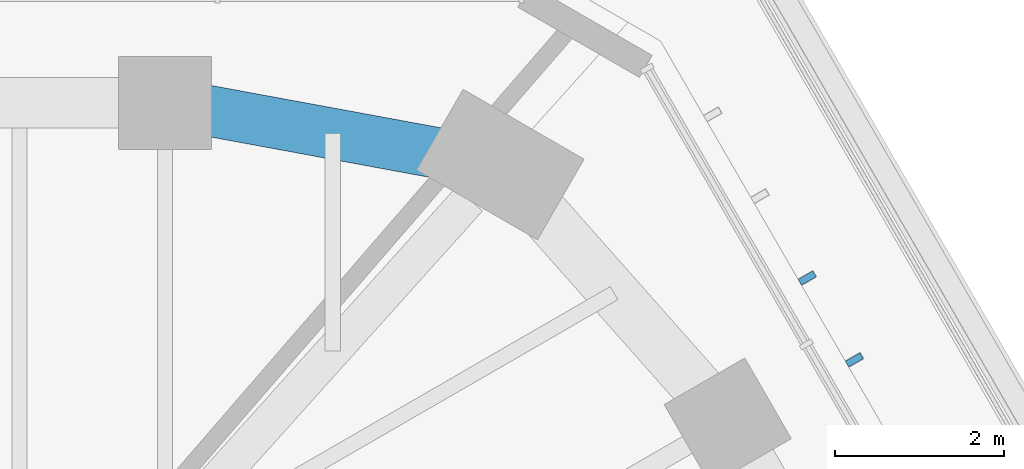
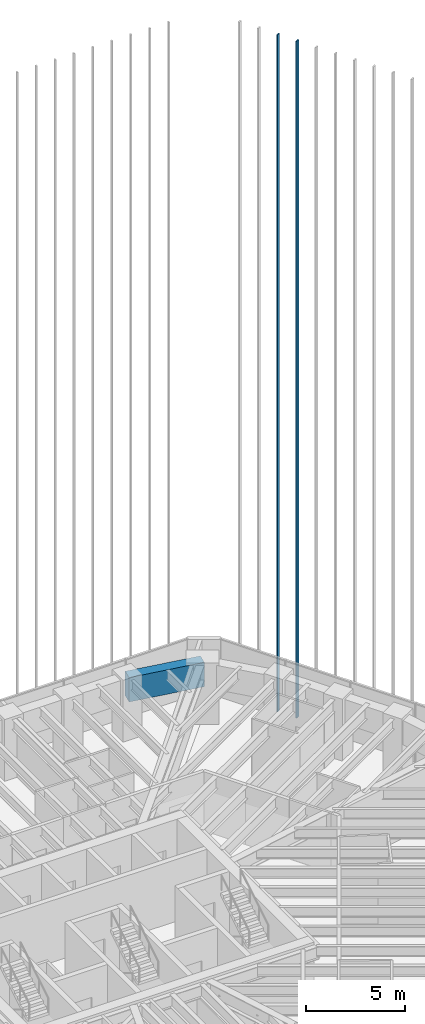
# One storey, part 105 of 127: 2 members, 1 beam, 1 element without a shape of its own.
"""IFC4 building model written with IfcOpenShell, lengths in metres."""

from ifc_helpers import new_model, si_unit, direction, frame, origin, origin_2d, place, context, subcontext, project, spatial, rectangle, extrude, material, material_profile, profile_set, type_object, element, aggregate, save


model = new_model("IFC4")

# Units and contexts
model_context = context("Model", 3, precision=1e-05, world=origin(), true_north=direction((0.0, 1.0)))
body_context = subcontext(model_context, "Body", "Model", "MODEL_VIEW")
ifc_project = project(units=[si_unit("LENGTHUNIT", "METRE"), si_unit("AREAUNIT", "SQUARE_METRE"), si_unit("VOLUMEUNIT", "CUBIC_METRE"), si_unit("PLANEANGLEUNIT", "RADIAN"), si_unit("MASSUNIT", "GRAM", prefix="KILO")], contexts=[model_context])

# Site, building, storey
site_placement = place(None, origin())
site = spatial("IfcSite", under=ifc_project, at=site_placement, CompositionType="ELEMENT")
building_placement = place(site_placement, origin())
building = spatial("IfcBuilding", under=site, at=building_placement, Name="Sandreach Pilgrim Tower", CompositionType="ELEMENT")
storey_placement = place(building_placement, frame((0.0, 0.0, 257.0)))
storey = spatial("IfcBuildingStorey", under=building, at=storey_placement, Name="L64", CompositionType="ELEMENT", Elevation=257.0)

# Beam
ifc_material_1 = material(Name="Concrete 10000 psi", Category="concrete")
ifc_material_profile_1 = material_profile(ifc_material_1, rectangle(XDim=0.60009765625, YDim=1.5, at=origin_2d()), Name="RC600X1500")
ifc_profile_set_1 = profile_set([ifc_material_profile_1], Name="Concrete 10000 psi")
beam_type = type_object("IfcBeamType", Name="Spandrel beam RC600X1500", PredefinedType="SPANDREL", material=ifc_profile_set_1)
beam_placement = place(storey_placement, frame((12.0576171875, 18.56640625, 2.889892578125), z_axis=(0.983454894629, -0.181153167875, 0.0), x_axis=(0.181153167875, 0.983454894629, 0.0)))
element("IfcBeam", 1, at=beam_placement, inside=storey, type_object=beam_type, Name="BM L64 SP08", PredefinedType="SPANDREL", context=body_context, shape_type="SweptSolid", body=[
    extrude(rectangle(XDim=0.60009765625, YDim=1.5, at=origin_2d()), origin(), (0.0, 0.0, 1.0), 4.025634765625),
])

# Curtain wall, members
ifc_material_2 = material(Name="Aluminium framed curtain wall", Category="aluminium")
curtain_wall_type = type_object("IfcCurtainWallType", Name="Suite tower curtain wall", PredefinedType="NOTDEFINED", material=ifc_material_2)
curtain_wall_placement = place(storey_placement, origin())
curtain_wall = element("IfcCurtainWall", 2, at=curtain_wall_placement, inside=storey, type_object=curtain_wall_type, Name="CW-4 L64 NE", PredefinedType="NOTDEFINED")
ifc_material_3 = material(Name="Extruded terracotta on aluminium core", Category="masonry")
ifc_material_profile_2 = material_profile(ifc_material_3, rectangle(XDim=0.080078125, YDim=0.199951171875, at=origin_2d()), Name="TBE 80X200")
ifc_profile_set_2 = profile_set([ifc_material_profile_2], Name="Extruded terracotta on aluminium core")
member_type = type_object("IfcMemberType", Name="Terracotta baguette east", PredefinedType="USERDEFINED", material=ifc_profile_set_2)
member_1_placement = place(storey_placement, frame((19.641357421875, 16.49609375, 0.0), z_axis=(0.0, 0.0, 1.0), x_axis=(0.5, -0.866025403784, 0.0)))
member_1 = element("IfcMember", 3, at=member_1_placement, type_object=member_type, Name="Baguette Z4 NE03", ObjectType="BAGUETTE", PredefinedType="USERDEFINED", context=body_context, shape_type="SweptSolid", body=[
    extrude(rectangle(XDim=0.080078125, YDim=0.199951171875, at=origin_2d()), origin(), (0.0, 0.0, 1.0), 41.639892578125),
])
member_2_placement = place(storey_placement, frame((20.19970703125, 15.529296875, 0.0), z_axis=(0.0, 0.0, 1.0), x_axis=(0.5, -0.866025403784, 0.0)))
member_2 = element("IfcMember", 4, at=member_2_placement, type_object=member_type, Name="Baguette Z4 NE04", ObjectType="BAGUETTE", PredefinedType="USERDEFINED", context=body_context, shape_type="SweptSolid", body=[
    extrude(rectangle(XDim=0.080078125, YDim=0.199951171875, at=origin_2d()), origin(), (0.0, 0.0, 1.0), 41.639892578125),
])
aggregate(curtain_wall, [member_1, member_2])

save(model, "model.ifc")
